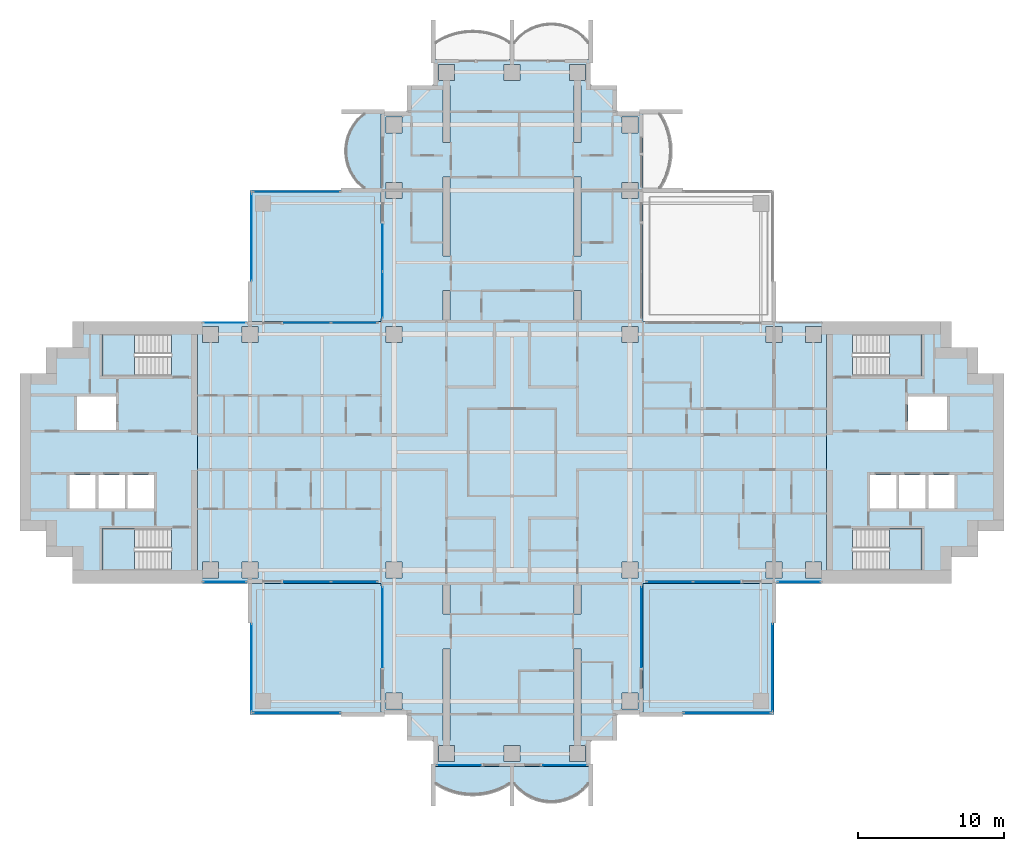
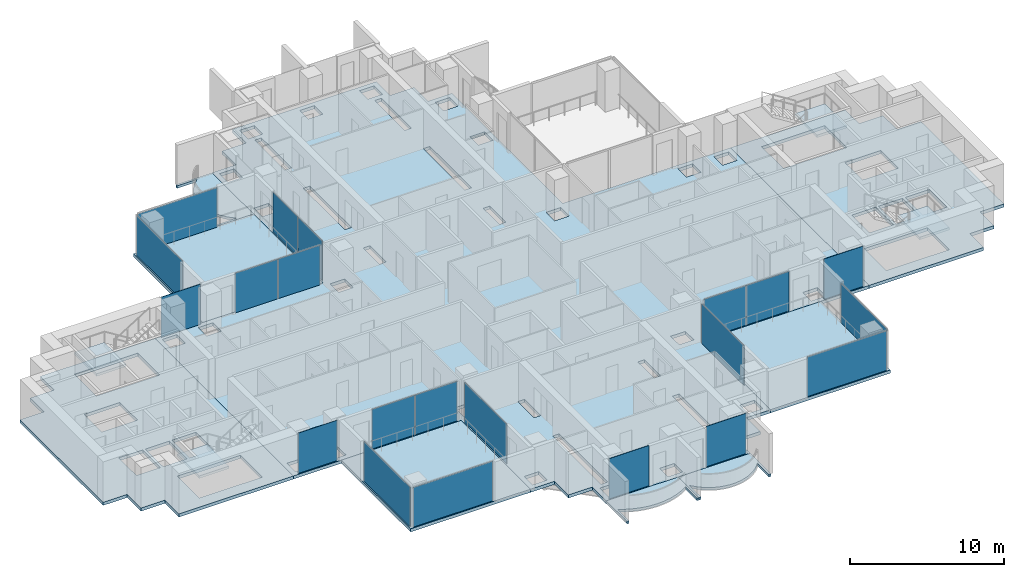
# One storey, part 7 of 19: 21 plates, 13 slabs, 21 elements without a shape of their own.
"""IFC4 building model written with IfcOpenShell, lengths in metres."""

from ifc_helpers import new_model, si_unit, direction, frame, origin, origin_2d, place, context, subcontext, project, spatial, polyline, rectangle, outline, extrude, material, layer, layer_set, type_object, element, aggregate, save


model = new_model("IFC4")

# Units and contexts
model_context = context("Model", 3, precision=1e-05, world=origin(), true_north=direction((0.0, 1.0)))
body_context = subcontext(model_context, "Body", "Model", "MODEL_VIEW")
ifc_project = project(units=[si_unit("LENGTHUNIT", "METRE"), si_unit("AREAUNIT", "SQUARE_METRE"), si_unit("VOLUMEUNIT", "CUBIC_METRE"), si_unit("PLANEANGLEUNIT", "RADIAN"), si_unit("MASSUNIT", "GRAM", prefix="KILO")], contexts=[model_context])

# Site, building, storey
site_placement = place(None, origin())
site = spatial("IfcSite", under=ifc_project, at=site_placement, CompositionType="ELEMENT")
building_placement = place(site_placement, origin())
building = spatial("IfcBuilding", under=site, at=building_placement, Name="Perihelion Cross Residences", CompositionType="ELEMENT")
storey_placement = place(building_placement, frame((0.0, 0.0, 151.39990234375)))
storey = spatial("IfcBuildingStorey", under=building, at=storey_placement, Name="L37", CompositionType="ELEMENT", Elevation=151.39990234375)

# Slabs
ifc_material_1 = material(Name="Concrete C40/50", Category="concrete")
ifc_layer_1 = layer(ifc_material_1, 0.199951171875)
ifc_layer_set_1 = layer_set([ifc_layer_1], Name="Balcony slab 200")
slab_type_1 = type_object("IfcSlabType", Name="Balcony slab 200", PredefinedType="FLOOR", material=ifc_layer_set_1)
slab_1_placement = place(storey_placement, frame((0.0, 0.0, -0.199951171875)))
element("IfcSlab", 1, at=slab_1_placement, inside=storey, type_object=slab_type_1, Name="Slab BK1 L37 north side west bay 1 balcony", PredefinedType="FLOOR", context=body_context, shape_type="SweptSolid", body=[
    extrude(outline(polyline([(-9.0, 23.39990234375), (-9.0, 18.0), (-11.699951171875, 18.0), (-11.699951171875, 18.14990234375), (-10.199951171875, 18.14990234375), (-10.622314453125, 18.542236328125), (-10.924072265625, 18.9345703125), (-11.143310546875, 19.326904296875), (-11.29736328125, 19.71923828125), (-11.39599609375, 20.111572265625), (-11.444091796875, 20.50390625), (-11.444091796875, 20.896240234375), (-11.39599609375, 21.28857421875), (-11.29736328125, 21.6806640625), (-11.143310546875, 22.072998046875), (-10.924072265625, 22.46533203125), (-10.622314453125, 22.857666015625), (-10.199951171875, 23.25), (-11.699951171875, 23.25), (-11.699951171875, 23.39990234375), (-9.0, 23.39990234375)])), origin(), (0.0, 0.0, 1.0), 0.199951171875),
])
slab_2_placement = place(storey_placement, frame((0.0, 0.0, -0.199951171875)))
element("IfcSlab", 2, at=slab_2_placement, inside=storey, type_object=slab_type_1, Name="Slab BK1 L37 south tip south bay 1 balcony", PredefinedType="FLOOR", context=body_context, shape_type="SweptSolid", body=[
    extrude(outline(polyline([(-5.39990234375, -21.60009765625), (0.0, -21.60009765625), (0.0, -24.300048828125), (-0.14990234375, -24.300048828125), (-0.14990234375, -22.800048828125), (-0.659912109375, -23.085205078125), (-1.169921875, -23.294677734375), (-1.679931640625, -23.438232421875), (-2.18994140625, -23.522216796875), (-2.699951171875, -23.550048828125), (-3.2099609375, -23.522216796875), (-3.719970703125, -23.438232421875), (-4.22998046875, -23.294677734375), (-4.739990234375, -23.085205078125), (-5.25, -22.800048828125), (-5.25, -24.300048828125), (-5.39990234375, -24.300048828125), (-5.39990234375, -21.60009765625)])), origin(), (0.0, 0.0, 1.0), 0.199951171875),
])
slab_3_placement = place(storey_placement, frame((0.0, 0.0, -0.199951171875)))
element("IfcSlab", 3, at=slab_3_placement, inside=storey, type_object=slab_type_1, Name="Slab BK1 L37 south tip south bay 2 balcony", PredefinedType="FLOOR", context=body_context, shape_type="SweptSolid", body=[
    extrude(outline(polyline([(0.0, -21.60009765625), (5.39990234375, -21.60009765625), (5.39990234375, -24.300048828125), (5.25, -24.300048828125), (5.25, -22.800048828125), (4.857666015625, -23.22216796875), (4.46533203125, -23.524169921875), (4.072998046875, -23.7431640625), (3.6806640625, -23.897216796875), (3.28857421875, -23.995849609375), (2.896240234375, -24.0439453125), (2.50390625, -24.0439453125), (2.111572265625, -23.995849609375), (1.71923828125, -23.897216796875), (1.326904296875, -23.7431640625), (0.9345703125, -23.524169921875), (0.542236328125, -23.22216796875), (0.14990234375, -22.800048828125), (0.14990234375, -24.300048828125), (0.0, -24.300048828125), (0.0, -21.60009765625)])), origin(), (0.0, 0.0, 1.0), 0.199951171875),
])

# Curtain wall, plates
ifc_material_2 = material(Name="Bronze anodised aluminium, tinted glazing", Category="aluminium")
curtain_wall_type_1 = type_object("IfcCurtainWallType", Name="CW1", PredefinedType="NOTDEFINED", material=ifc_material_2)
curtain_wall_1_placement = place(storey_placement, origin())
curtain_wall_1 = element("IfcCurtainWall", 4, at=curtain_wall_1_placement, inside=storey, type_object=curtain_wall_type_1, Name="Curtain wall CW1 L37 north side west bay 2", PredefinedType="NOTDEFINED")
ifc_material_3 = material(Name="Tinted laminated glass", Category="glass")
ifc_layer_2 = layer(ifc_material_3, 0.028076171875)
ifc_layer_set_2 = layer_set([ifc_layer_2], Name="CW1 panel")
plate_type_1 = type_object("IfcPlateType", Name="CW1 panel", PredefinedType="CURTAIN_PANEL", material=ifc_layer_set_2)
plate_1_placement = place(storey_placement, frame((-8.89990234375, 14.052490234375, 0.0), z_axis=(0.0, 0.0, 1.0), x_axis=(0.0, -1.0, 0.0)))
plate_1 = element("IfcPlate", 5, at=plate_1_placement, type_object=plate_type_1, Name="CW1 panel 1", PredefinedType="CURTAIN_PANEL", context=body_context, shape_type="SweptSolid", body=[
    extrude(rectangle(XDim=3.195068359375, YDim=0.028076171875, at=origin_2d()), origin(), (0.0, 0.0, 1.0), 3.139892578125),
])
plate_2_placement = place(storey_placement, frame((-8.89990234375, 10.827392578125, 0.0), z_axis=(0.0, 0.0, 1.0), x_axis=(0.0, -1.0, 0.0)))
plate_2 = element("IfcPlate", 6, at=plate_2_placement, type_object=plate_type_1, Name="CW1 panel 2", PredefinedType="CURTAIN_PANEL", context=body_context, shape_type="SweptSolid", body=[
    extrude(rectangle(XDim=3.135009765625, YDim=0.028076171875, at=origin_2d()), origin(), (0.0, 0.0, 1.0), 3.139892578125),
])
aggregate(curtain_wall_1, [plate_1, plate_2])

curtain_wall_2_placement = place(storey_placement, origin())
curtain_wall_2 = element("IfcCurtainWall", 7, at=curtain_wall_2_placement, inside=storey, type_object=curtain_wall_type_1, Name="Curtain wall CW1 L37 west side north bay 1", PredefinedType="NOTDEFINED")
plate_3_placement = place(storey_placement, frame((-10.827392578125, 8.89990234375, 0.0), z_axis=(0.0, 0.0, 1.0), x_axis=(-1.0, 0.0, 0.0)))
plate_3 = element("IfcPlate", 8, at=plate_3_placement, type_object=plate_type_1, Name="CW1 panel 1", PredefinedType="CURTAIN_PANEL", context=body_context, shape_type="SweptSolid", body=[
    extrude(rectangle(XDim=3.135009765625, YDim=0.028076171875, at=origin_2d()), origin(), (0.0, 0.0, 1.0), 3.139892578125),
])
plate_4_placement = place(storey_placement, frame((-14.052490234375, 8.89990234375, 0.0), z_axis=(0.0, 0.0, 1.0), x_axis=(-1.0, 0.0, 0.0)))
plate_4 = element("IfcPlate", 9, at=plate_4_placement, type_object=plate_type_1, Name="CW1 panel 2", PredefinedType="CURTAIN_PANEL", context=body_context, shape_type="SweptSolid", body=[
    extrude(rectangle(XDim=3.195068359375, YDim=0.028076171875, at=origin_2d()), origin(), (0.0, 0.0, 1.0), 3.139892578125),
])
aggregate(curtain_wall_2, [plate_3, plate_4])

# Curtain wall, plate
curtain_wall_3_placement = place(storey_placement, origin())
curtain_wall_3 = element("IfcCurtainWall", 10, at=curtain_wall_3_placement, inside=storey, type_object=curtain_wall_type_1, Name="Curtain wall CW1 L37 west side north bay 2", PredefinedType="NOTDEFINED")
plate_5_placement = place(storey_placement, frame((-19.72509765625, 8.89990234375, 0.0), z_axis=(0.0, 0.0, 1.0), x_axis=(-1.0, 0.0, 0.0)))
plate_5 = element("IfcPlate", 11, at=plate_5_placement, type_object=plate_type_1, Name="CW1 panel 1", PredefinedType="CURTAIN_PANEL", context=body_context, shape_type="SweptSolid", body=[
    extrude(rectangle(XDim=2.929931640625, YDim=0.028076171875, at=origin_2d()), origin(), (0.0, 0.0, 1.0), 3.199951171875),
])
aggregate(curtain_wall_3, [plate_5])

curtain_wall_4_placement = place(storey_placement, origin())
curtain_wall_4 = element("IfcCurtainWall", 12, at=curtain_wall_4_placement, inside=storey, type_object=curtain_wall_type_1, Name="Curtain wall CW1 L37 west side south bay 1", PredefinedType="NOTDEFINED")
plate_6_placement = place(storey_placement, frame((-19.72509765625, -8.89990234375, 0.0), z_axis=(0.0, 0.0, 1.0), x_axis=(1.0, 0.0, 0.0)))
plate_6 = element("IfcPlate", 13, at=plate_6_placement, type_object=plate_type_1, Name="CW1 panel 1", PredefinedType="CURTAIN_PANEL", context=body_context, shape_type="SweptSolid", body=[
    extrude(rectangle(XDim=2.929931640625, YDim=0.028076171875, at=origin_2d()), origin(), (0.0, 0.0, 1.0), 3.199951171875),
])
aggregate(curtain_wall_4, [plate_6])

# Curtain wall, plates
curtain_wall_5_placement = place(storey_placement, origin())
curtain_wall_5 = element("IfcCurtainWall", 14, at=curtain_wall_5_placement, inside=storey, type_object=curtain_wall_type_1, Name="Curtain wall CW1 L37 west side south bay 2", PredefinedType="NOTDEFINED")
plate_7_placement = place(storey_placement, frame((-14.052490234375, -8.89990234375, 0.0), z_axis=(0.0, 0.0, 1.0), x_axis=(1.0, 0.0, 0.0)))
plate_7 = element("IfcPlate", 15, at=plate_7_placement, type_object=plate_type_1, Name="CW1 panel 1", PredefinedType="CURTAIN_PANEL", context=body_context, shape_type="SweptSolid", body=[
    extrude(rectangle(XDim=3.195068359375, YDim=0.028076171875, at=origin_2d()), origin(), (0.0, 0.0, 1.0), 3.139892578125),
])
plate_8_placement = place(storey_placement, frame((-10.827392578125, -8.89990234375, 0.0), z_axis=(0.0, 0.0, 1.0), x_axis=(1.0, 0.0, 0.0)))
plate_8 = element("IfcPlate", 16, at=plate_8_placement, type_object=plate_type_1, Name="CW1 panel 2", PredefinedType="CURTAIN_PANEL", context=body_context, shape_type="SweptSolid", body=[
    extrude(rectangle(XDim=3.135009765625, YDim=0.028076171875, at=origin_2d()), origin(), (0.0, 0.0, 1.0), 3.139892578125),
])
aggregate(curtain_wall_5, [plate_7, plate_8])

# Curtain wall, plate
curtain_wall_6_placement = place(storey_placement, origin())
curtain_wall_6 = element("IfcCurtainWall", 17, at=curtain_wall_6_placement, inside=storey, type_object=curtain_wall_type_1, Name="Curtain wall CW1 L37 south side west bay 1", PredefinedType="NOTDEFINED")
plate_9_placement = place(storey_placement, frame((-8.89990234375, -12.0048828125, 0.0), z_axis=(0.0, 0.0, 1.0), x_axis=(0.0, -1.0, 0.0)))
plate_9 = element("IfcPlate", 18, at=plate_9_placement, type_object=plate_type_1, Name="CW1 panel 1", PredefinedType="CURTAIN_PANEL", context=body_context, shape_type="SweptSolid", body=[
    extrude(rectangle(XDim=5.489990234375, YDim=0.028076171875, at=origin_2d()), origin(), (0.0, 0.0, 1.0), 3.139892578125),
])
aggregate(curtain_wall_6, [plate_9])

curtain_wall_7_placement = place(storey_placement, origin())
curtain_wall_7 = element("IfcCurtainWall", 19, at=curtain_wall_7_placement, inside=storey, type_object=curtain_wall_type_1, Name="Curtain wall CW1 L37 south tip south bay 1", PredefinedType="NOTDEFINED")
plate_10_placement = place(storey_placement, frame((-3.64501953125, -21.5, 0.0), z_axis=(0.0, 0.0, 1.0), x_axis=(1.0, 0.0, 0.0)))
plate_10 = element("IfcPlate", 20, at=plate_10_placement, type_object=plate_type_1, Name="CW1 panel 1", PredefinedType="CURTAIN_PANEL", context=body_context, shape_type="SweptSolid", body=[
    extrude(rectangle(XDim=2.989990234375, YDim=0.028076171875, at=origin_2d()), origin(), (0.0, 0.0, 1.0), 3.199951171875),
])
aggregate(curtain_wall_7, [plate_10])

curtain_wall_8_placement = place(storey_placement, origin())
curtain_wall_8 = element("IfcCurtainWall", 21, at=curtain_wall_8_placement, inside=storey, type_object=curtain_wall_type_1, Name="Curtain wall CW1 L37 south tip south bay 2", PredefinedType="NOTDEFINED")
plate_11_placement = place(storey_placement, frame((3.64501953125, -21.5, 0.0), z_axis=(0.0, 0.0, 1.0), x_axis=(1.0, 0.0, 0.0)))
plate_11 = element("IfcPlate", 22, at=plate_11_placement, type_object=plate_type_1, Name="CW1 panel 1", PredefinedType="CURTAIN_PANEL", context=body_context, shape_type="SweptSolid", body=[
    extrude(rectangle(XDim=2.989990234375, YDim=0.028076171875, at=origin_2d()), origin(), (0.0, 0.0, 1.0), 3.199951171875),
])
aggregate(curtain_wall_8, [plate_11])

curtain_wall_9_placement = place(storey_placement, origin())
curtain_wall_9 = element("IfcCurtainWall", 23, at=curtain_wall_9_placement, inside=storey, type_object=curtain_wall_type_1, Name="Curtain wall CW1 L37 south side east bay 1", PredefinedType="NOTDEFINED")
plate_12_placement = place(storey_placement, frame((8.89990234375, -12.0048828125, 0.0), z_axis=(0.0, 0.0, 1.0), x_axis=(0.0, 1.0, 0.0)))
plate_12 = element("IfcPlate", 24, at=plate_12_placement, type_object=plate_type_1, Name="CW1 panel 1", PredefinedType="CURTAIN_PANEL", context=body_context, shape_type="SweptSolid", body=[
    extrude(rectangle(XDim=5.489990234375, YDim=0.028076171875, at=origin_2d()), origin(), (0.0, 0.0, 1.0), 3.139892578125),
])
aggregate(curtain_wall_9, [plate_12])

# Curtain wall, plates
curtain_wall_10_placement = place(storey_placement, origin())
curtain_wall_10 = element("IfcCurtainWall", 25, at=curtain_wall_10_placement, inside=storey, type_object=curtain_wall_type_1, Name="Curtain wall CW1 L37 east side south bay 1", PredefinedType="NOTDEFINED")
plate_13_placement = place(storey_placement, frame((10.827392578125, -8.89990234375, 0.0), z_axis=(0.0, 0.0, 1.0), x_axis=(1.0, 0.0, 0.0)))
plate_13 = element("IfcPlate", 26, at=plate_13_placement, type_object=plate_type_1, Name="CW1 panel 1", PredefinedType="CURTAIN_PANEL", context=body_context, shape_type="SweptSolid", body=[
    extrude(rectangle(XDim=3.135009765625, YDim=0.028076171875, at=origin_2d()), origin(), (0.0, 0.0, 1.0), 3.139892578125),
])
plate_14_placement = place(storey_placement, frame((14.052490234375, -8.89990234375, 0.0), z_axis=(0.0, 0.0, 1.0), x_axis=(1.0, 0.0, 0.0)))
plate_14 = element("IfcPlate", 27, at=plate_14_placement, type_object=plate_type_1, Name="CW1 panel 2", PredefinedType="CURTAIN_PANEL", context=body_context, shape_type="SweptSolid", body=[
    extrude(rectangle(XDim=3.195068359375, YDim=0.028076171875, at=origin_2d()), origin(), (0.0, 0.0, 1.0), 3.139892578125),
])
aggregate(curtain_wall_10, [plate_13, plate_14])

# Curtain wall, plate
curtain_wall_11_placement = place(storey_placement, origin())
curtain_wall_11 = element("IfcCurtainWall", 28, at=curtain_wall_11_placement, inside=storey, type_object=curtain_wall_type_1, Name="Curtain wall CW1 L37 east side south bay 2", PredefinedType="NOTDEFINED")
plate_15_placement = place(storey_placement, frame((19.72509765625, -8.89990234375, 0.0), z_axis=(0.0, 0.0, 1.0), x_axis=(1.0, 0.0, 0.0)))
plate_15 = element("IfcPlate", 29, at=plate_15_placement, type_object=plate_type_1, Name="CW1 panel 1", PredefinedType="CURTAIN_PANEL", context=body_context, shape_type="SweptSolid", body=[
    extrude(rectangle(XDim=2.929931640625, YDim=0.028076171875, at=origin_2d()), origin(), (0.0, 0.0, 1.0), 3.199951171875),
])
aggregate(curtain_wall_11, [plate_15])

ifc_material_4 = material(Name="Bronze anodised aluminium, tinted glazing", Category="aluminium")
curtain_wall_type_2 = type_object("IfcCurtainWallType", Name="CW4", PredefinedType="NOTDEFINED", material=ifc_material_4)
curtain_wall_12_placement = place(storey_placement, origin())
curtain_wall_12 = element("IfcCurtainWall", 30, at=curtain_wall_12_placement, inside=storey, type_object=curtain_wall_type_2, Name="Curtain wall CW4 L37 pocket north-west 1 1", PredefinedType="NOTDEFINED")
ifc_material_5 = material(Name="Tinted laminated glass", Category="glass")
ifc_layer_3 = layer(ifc_material_5, 0.030029296875)
ifc_layer_set_3 = layer_set([ifc_layer_3], Name="CW4 panel")
plate_type_2 = type_object("IfcPlateType", Name="CW4 panel", PredefinedType="CURTAIN_PANEL", material=ifc_layer_set_3)
plate_16_placement = place(storey_placement, frame((-17.89990234375, 14.784912109375, 0.0), z_axis=(0.0, 0.0, 1.0), x_axis=(0.0, 1.0, 0.0)))
plate_16 = element("IfcPlate", 31, at=plate_16_placement, type_object=plate_type_2, Name="CW4 panel 1", PredefinedType="CURTAIN_PANEL", context=body_context, shape_type="SweptSolid", body=[
    extrude(rectangle(XDim=5.969970703125, YDim=0.030029296875, at=origin_2d()), origin(), (0.0, 0.0, 1.0), 3.139892578125),
])
aggregate(curtain_wall_12, [plate_16])

curtain_wall_13_placement = place(storey_placement, origin())
curtain_wall_13 = element("IfcCurtainWall", 32, at=curtain_wall_13_placement, inside=storey, type_object=curtain_wall_type_2, Name="Curtain wall CW4 L37 pocket north-west 1 2", PredefinedType="NOTDEFINED")
plate_17_placement = place(storey_placement, frame((-14.784912109375, 17.89990234375, 0.0), z_axis=(0.0, 0.0, 1.0), x_axis=(1.0, 0.0, 0.0)))
plate_17 = element("IfcPlate", 33, at=plate_17_placement, type_object=plate_type_2, Name="CW4 panel 1", PredefinedType="CURTAIN_PANEL", context=body_context, shape_type="SweptSolid", body=[
    extrude(rectangle(XDim=5.969970703125, YDim=0.030029296875, at=origin_2d()), origin(), (0.0, 0.0, 1.0), 3.139892578125),
])
aggregate(curtain_wall_13, [plate_17])

curtain_wall_14_placement = place(storey_placement, origin())
curtain_wall_14 = element("IfcCurtainWall", 34, at=curtain_wall_14_placement, inside=storey, type_object=curtain_wall_type_2, Name="Curtain wall CW4 L37 pocket south-east 1 1", PredefinedType="NOTDEFINED")
plate_18_placement = place(storey_placement, frame((17.89990234375, -14.784912109375, 0.0), z_axis=(0.0, 0.0, 1.0), x_axis=(0.0, -1.0, 0.0)))
plate_18 = element("IfcPlate", 35, at=plate_18_placement, type_object=plate_type_2, Name="CW4 panel 1", PredefinedType="CURTAIN_PANEL", context=body_context, shape_type="SweptSolid", body=[
    extrude(rectangle(XDim=5.969970703125, YDim=0.030029296875, at=origin_2d()), origin(), (0.0, 0.0, 1.0), 3.139892578125),
])
aggregate(curtain_wall_14, [plate_18])

curtain_wall_15_placement = place(storey_placement, origin())
curtain_wall_15 = element("IfcCurtainWall", 36, at=curtain_wall_15_placement, inside=storey, type_object=curtain_wall_type_2, Name="Curtain wall CW4 L37 pocket south-east 1 2", PredefinedType="NOTDEFINED")
plate_19_placement = place(storey_placement, frame((14.784912109375, -17.89990234375, 0.0), z_axis=(0.0, 0.0, 1.0), x_axis=(-1.0, 0.0, 0.0)))
plate_19 = element("IfcPlate", 37, at=plate_19_placement, type_object=plate_type_2, Name="CW4 panel 1", PredefinedType="CURTAIN_PANEL", context=body_context, shape_type="SweptSolid", body=[
    extrude(rectangle(XDim=5.969970703125, YDim=0.030029296875, at=origin_2d()), origin(), (0.0, 0.0, 1.0), 3.139892578125),
])
aggregate(curtain_wall_15, [plate_19])

curtain_wall_16_placement = place(storey_placement, origin())
curtain_wall_16 = element("IfcCurtainWall", 38, at=curtain_wall_16_placement, inside=storey, type_object=curtain_wall_type_2, Name="Curtain wall CW4 L37 pocket south-west 1 1", PredefinedType="NOTDEFINED")
plate_20_placement = place(storey_placement, frame((-14.784912109375, -17.89990234375, 0.0), z_axis=(0.0, 0.0, 1.0), x_axis=(-1.0, 0.0, 0.0)))
plate_20 = element("IfcPlate", 39, at=plate_20_placement, type_object=plate_type_2, Name="CW4 panel 1", PredefinedType="CURTAIN_PANEL", context=body_context, shape_type="SweptSolid", body=[
    extrude(rectangle(XDim=5.969970703125, YDim=0.030029296875, at=origin_2d()), origin(), (0.0, 0.0, 1.0), 3.139892578125),
])
aggregate(curtain_wall_16, [plate_20])

curtain_wall_17_placement = place(storey_placement, origin())
curtain_wall_17 = element("IfcCurtainWall", 40, at=curtain_wall_17_placement, inside=storey, type_object=curtain_wall_type_2, Name="Curtain wall CW4 L37 pocket south-west 1 2", PredefinedType="NOTDEFINED")
plate_21_placement = place(storey_placement, frame((-17.89990234375, -14.784912109375, 0.0), z_axis=(0.0, 0.0, 1.0), x_axis=(0.0, 1.0, 0.0)))
plate_21 = element("IfcPlate", 41, at=plate_21_placement, type_object=plate_type_2, Name="CW4 panel 1", PredefinedType="CURTAIN_PANEL", context=body_context, shape_type="SweptSolid", body=[
    extrude(rectangle(XDim=5.969970703125, YDim=0.030029296875, at=origin_2d()), origin(), (0.0, 0.0, 1.0), 3.139892578125),
])
aggregate(curtain_wall_17, [plate_21])

# Slabs
ifc_material_6 = material(Name="Concrete C40/50", Category="concrete")
ifc_layer_4 = layer(ifc_material_6, 0.25)
ifc_layer_set_4 = layer_set([ifc_layer_4], Name="Core floor slab 250")
slab_type_2 = type_object("IfcSlabType", Name="Core floor slab 250", PredefinedType="FLOOR", material=ifc_layer_set_4)
slab_4_placement = place(storey_placement, frame((0.0, 0.0, -0.25)))
element("IfcSlab", 42, at=slab_4_placement, inside=storey, type_object=slab_type_2, Name="East core floor slab", PredefinedType="FLOOR", context=body_context, shape_type="SweptSolid", body=[
    extrude(outline(polyline([(30.199951171875, 7.199951171875), (32.0, 7.199951171875), (32.0, 5.39990234375), (33.800048828125, 5.39990234375), (33.800048828125, -5.39990234375), (32.0, -5.39990234375), (32.0, -7.199951171875), (30.199951171875, -7.199951171875), (30.199951171875, -9.0), (21.60009765625, -9.0), (21.60009765625, 9.0), (30.199951171875, 9.0), (30.199951171875, 7.199951171875)]), holes=[polyline([(28.14990234375, -8.10009765625), (28.14990234375, -5.25), (23.405029296875, -5.25), (23.405029296875, -8.10009765625), (28.14990234375, -8.10009765625)]), polyline([(24.60009765625, -1.550048828125), (24.60009765625, -3.85009765625), (26.39990234375, -3.85009765625), (26.39990234375, -1.550048828125), (24.60009765625, -1.550048828125)]), polyline([(26.60009765625, -1.550048828125), (26.60009765625, -3.85009765625), (28.39990234375, -3.85009765625), (28.39990234375, -1.550048828125), (26.60009765625, -1.550048828125)]), polyline([(28.60009765625, -3.85009765625), (30.39990234375, -3.85009765625), (30.39990234375, -1.550048828125), (28.60009765625, -1.550048828125), (28.60009765625, -3.85009765625)]), polyline([(27.199951171875, 3.85009765625), (27.199951171875, 1.550048828125), (29.89990234375, 1.550048828125), (29.89990234375, 3.85009765625), (27.199951171875, 3.85009765625)]), polyline([(23.405029296875, 5.25), (28.14990234375, 5.25), (28.14990234375, 8.10009765625), (23.405029296875, 8.10009765625), (23.405029296875, 5.25)])]), origin(), (0.0, 0.0, 1.0), 0.25),
])
slab_5_placement = place(storey_placement, frame((0.0, 0.0, -0.25)))
element("IfcSlab", 43, at=slab_5_placement, inside=storey, type_object=slab_type_2, Name="West core floor slab", PredefinedType="FLOOR", context=body_context, shape_type="SweptSolid", body=[
    extrude(outline(polyline([(-30.199951171875, 7.199951171875), (-32.0, 7.199951171875), (-32.0, 5.39990234375), (-33.800048828125, 5.39990234375), (-33.800048828125, -5.39990234375), (-32.0, -5.39990234375), (-32.0, -7.199951171875), (-30.199951171875, -7.199951171875), (-30.199951171875, -9.0), (-21.60009765625, -9.0), (-21.60009765625, 9.0), (-30.199951171875, 9.0), (-30.199951171875, 7.199951171875)]), holes=[polyline([(-28.14990234375, -8.10009765625), (-28.14990234375, -5.25), (-23.405029296875, -5.25), (-23.405029296875, -8.10009765625), (-28.14990234375, -8.10009765625)]), polyline([(-24.60009765625, -1.550048828125), (-24.60009765625, -3.85009765625), (-26.39990234375, -3.85009765625), (-26.39990234375, -1.550048828125), (-24.60009765625, -1.550048828125)]), polyline([(-26.60009765625, -1.550048828125), (-26.60009765625, -3.85009765625), (-28.39990234375, -3.85009765625), (-28.39990234375, -1.550048828125), (-26.60009765625, -1.550048828125)]), polyline([(-28.60009765625, -3.85009765625), (-30.39990234375, -3.85009765625), (-30.39990234375, -1.550048828125), (-28.60009765625, -1.550048828125), (-28.60009765625, -3.85009765625)]), polyline([(-27.199951171875, 3.85009765625), (-27.199951171875, 1.550048828125), (-29.89990234375, 1.550048828125), (-29.89990234375, 3.85009765625), (-27.199951171875, 3.85009765625)]), polyline([(-23.405029296875, 5.25), (-28.14990234375, 5.25), (-28.14990234375, 8.10009765625), (-23.405029296875, 8.10009765625), (-23.405029296875, 5.25)])]), origin(), (0.0, 0.0, 1.0), 0.25),
])

# Stair, slab
ifc_material_7 = material(Name="Concrete C40/50", Category="concrete")
stair_type = type_object("IfcStairType", Name="Exit stair, half-turn", PredefinedType="HALF_TURN_STAIR", material=ifc_material_7)
stair_1_placement = place(storey_placement, origin())
stair_1 = element("IfcStair", 44, at=stair_1_placement, inside=storey, type_object=stair_type, Name="L37 East core exit stair 1", PredefinedType="HALF_TURN_STAIR")
ifc_material_8 = material(Name="Concrete C40/50", Category="concrete")
ifc_layer_5 = layer(ifc_material_8, 0.199951171875)
ifc_layer_set_5 = layer_set([ifc_layer_5], Name="Exit stair landing 200")
slab_type_3 = type_object("IfcSlabType", Name="Exit stair landing 200", PredefinedType="LANDING", material=ifc_layer_set_5)
slab_6_placement = place(storey_placement, frame((0.0, 0.0, 1.550048828125)))
slab_6 = element("IfcSlab", 45, at=slab_6_placement, type_object=slab_type_3, Name="ST-E1 landing 1", PredefinedType="LANDING", context=body_context, shape_type="SweptSolid", body=[
    extrude(outline(polyline([(25.919921875, 5.25), (28.14990234375, 5.25), (28.14990234375, 8.10009765625), (25.919921875, 8.10009765625), (25.919921875, 5.25)])), origin(), (0.0, 0.0, 1.0), 0.199951171875),
])
aggregate(stair_1, [slab_6])

stair_2_placement = place(storey_placement, origin())
stair_2 = element("IfcStair", 46, at=stair_2_placement, inside=storey, type_object=stair_type, Name="L37 East core exit stair 2", PredefinedType="HALF_TURN_STAIR")
slab_7_placement = place(storey_placement, frame((0.0, 0.0, 1.550048828125)))
slab_7 = element("IfcSlab", 47, at=slab_7_placement, type_object=slab_type_3, Name="ST-E2 landing 1", PredefinedType="LANDING", context=body_context, shape_type="SweptSolid", body=[
    extrude(outline(polyline([(25.919921875, -8.10009765625), (28.14990234375, -8.10009765625), (28.14990234375, -5.25), (25.919921875, -5.25), (25.919921875, -8.10009765625)])), origin(), (0.0, 0.0, 1.0), 0.199951171875),
])
aggregate(stair_2, [slab_7])

stair_3_placement = place(storey_placement, origin())
stair_3 = element("IfcStair", 48, at=stair_3_placement, inside=storey, type_object=stair_type, Name="L37 West core exit stair 1", PredefinedType="HALF_TURN_STAIR")
slab_8_placement = place(storey_placement, frame((0.0, 0.0, 1.550048828125)))
slab_8 = element("IfcSlab", 49, at=slab_8_placement, type_object=slab_type_3, Name="ST-W1 landing 1", PredefinedType="LANDING", context=body_context, shape_type="SweptSolid", body=[
    extrude(outline(polyline([(-25.919921875, 8.10009765625), (-28.14990234375, 8.10009765625), (-28.14990234375, 5.25), (-25.919921875, 5.25), (-25.919921875, 8.10009765625)])), origin(), (0.0, 0.0, 1.0), 0.199951171875),
])
aggregate(stair_3, [slab_8])

stair_4_placement = place(storey_placement, origin())
stair_4 = element("IfcStair", 50, at=stair_4_placement, inside=storey, type_object=stair_type, Name="L37 West core exit stair 2", PredefinedType="HALF_TURN_STAIR")
slab_9_placement = place(storey_placement, frame((0.0, 0.0, 1.550048828125)))
slab_9 = element("IfcSlab", 51, at=slab_9_placement, type_object=slab_type_3, Name="ST-W2 landing 1", PredefinedType="LANDING", context=body_context, shape_type="SweptSolid", body=[
    extrude(outline(polyline([(-25.919921875, -5.25), (-28.14990234375, -5.25), (-28.14990234375, -8.10009765625), (-25.919921875, -8.10009765625), (-25.919921875, -5.25)])), origin(), (0.0, 0.0, 1.0), 0.199951171875),
])
aggregate(stair_4, [slab_9])

# Slabs
ifc_material_9 = material(Name="Concrete C50/60", Category="concrete")
ifc_layer_6 = layer(ifc_material_9, 0.25)
ifc_layer_set_6 = layer_set([ifc_layer_6], Name="Residential floor post-tensioned slab concrete C50/60")
slab_type_4 = type_object("IfcSlabType", Name="Residential floor post-tensioned slab concrete C50/60", PredefinedType="FLOOR", material=ifc_layer_set_6)
slab_10_placement = place(storey_placement, frame((0.0, 0.0, -0.25)))
element("IfcSlab", 52, at=slab_10_placement, inside=storey, type_object=slab_type_4, Name="Slab SL8 L37 1 no. 1", PredefinedType="FLOOR", context=body_context, shape_type="SweptSolid", body=[
    extrude(outline(polyline([(-9.0, 9.0), (-9.0, 23.39990234375), (-7.199951171875, 23.39990234375), (-7.199951171875, 25.199951171875), (-5.39990234375, 25.199951171875), (-5.39990234375, 27.0), (5.39990234375, 27.0), (5.39990234375, 25.199951171875), (7.199951171875, 25.199951171875), (7.199951171875, 23.39990234375), (9.0, 23.39990234375), (9.0, 9.0), (21.60009765625, 9.0), (21.60009765625, -9.0), (9.0, -9.0), (9.0, -18.0), (7.199951171875, -18.0), (7.199951171875, -19.800048828125), (5.39990234375, -19.800048828125), (5.39990234375, -21.60009765625), (-5.39990234375, -21.60009765625), (-5.39990234375, -19.800048828125), (-7.199951171875, -19.800048828125), (-7.199951171875, -18.0), (-9.0, -18.0), (-9.0, -9.0), (-21.60009765625, -9.0), (-21.60009765625, 9.0), (-9.0, 9.0)]), holes=[polyline([(0.550048828125, -21.25), (0.550048828125, -20.14990234375), (-0.550048828125, -20.14990234375), (-0.550048828125, -21.25), (0.550048828125, -21.25)]), polyline([(-3.949951171875, -21.25), (-3.949951171875, -20.14990234375), (-5.050048828125, -20.14990234375), (-5.050048828125, -21.25), (-3.949951171875, -21.25)]), polyline([(-7.550048828125, -17.64990234375), (-7.550048828125, -16.550048828125), (-8.64990234375, -16.550048828125), (-8.64990234375, -17.64990234375), (-7.550048828125, -17.64990234375)]), polyline([(-4.25, -19.800048828125), (-4.25, -13.5), (-4.75, -13.5), (-4.75, -19.800048828125), (-4.25, -19.800048828125)]), polyline([(-4.25, -11.10009765625), (-4.25, -9.0), (-4.75, -9.0), (-4.75, -11.10009765625), (-4.25, -11.10009765625)]), polyline([(-20.14990234375, -8.64990234375), (-20.14990234375, -7.550048828125), (-21.25, -7.550048828125), (-21.25, -8.64990234375), (-20.14990234375, -8.64990234375)]), polyline([(-7.550048828125, -8.64990234375), (-7.550048828125, -7.550048828125), (-8.64990234375, -7.550048828125), (-8.64990234375, -8.64990234375), (-7.550048828125, -8.64990234375)]), polyline([(-18.550048828125, -8.64990234375), (-17.449951171875, -8.64990234375), (-17.449951171875, -7.550048828125), (-18.550048828125, -7.550048828125), (-18.550048828125, -8.64990234375)]), polyline([(-7.550048828125, 7.550048828125), (-7.550048828125, 8.64990234375), (-8.64990234375, 8.64990234375), (-8.64990234375, 7.550048828125), (-7.550048828125, 7.550048828125)]), polyline([(-17.449951171875, 7.550048828125), (-17.449951171875, 8.64990234375), (-18.550048828125, 8.64990234375), (-18.550048828125, 7.550048828125), (-17.449951171875, 7.550048828125)]), polyline([(-20.14990234375, 7.550048828125), (-20.14990234375, 8.64990234375), (-21.25, 8.64990234375), (-21.25, 7.550048828125), (-20.14990234375, 7.550048828125)]), polyline([(-4.25, 9.0), (-4.25, 11.10009765625), (-4.75, 11.10009765625), (-4.75, 9.0), (-4.25, 9.0)]), polyline([(-4.25, 13.5), (-4.25, 18.89990234375), (-4.75, 18.89990234375), (-4.75, 13.5), (-4.25, 13.5)]), polyline([(-7.550048828125, 17.449951171875), (-7.550048828125, 18.550048828125), (-8.64990234375, 18.550048828125), (-8.64990234375, 17.449951171875), (-7.550048828125, 17.449951171875)]), polyline([(-7.550048828125, 21.949951171875), (-7.550048828125, 23.050048828125), (-8.64990234375, 23.050048828125), (-8.64990234375, 21.949951171875), (-7.550048828125, 21.949951171875)]), polyline([(-4.75, 21.300048828125), (-4.25, 21.300048828125), (-4.25, 25.199951171875), (-4.75, 25.199951171875), (-4.75, 21.300048828125)]), polyline([(-5.050048828125, 25.550048828125), (-3.949951171875, 25.550048828125), (-3.949951171875, 26.64990234375), (-5.050048828125, 26.64990234375), (-5.050048828125, 25.550048828125)]), polyline([(5.050048828125, -21.25), (5.050048828125, -20.14990234375), (3.949951171875, -20.14990234375), (3.949951171875, -21.25), (5.050048828125, -21.25)]), polyline([(8.64990234375, -17.64990234375), (8.64990234375, -16.550048828125), (7.550048828125, -16.550048828125), (7.550048828125, -17.64990234375), (8.64990234375, -17.64990234375)]), polyline([(4.75, -19.800048828125), (4.75, -13.5), (4.25, -13.5), (4.25, -19.800048828125), (4.75, -19.800048828125)]), polyline([(4.75, -11.10009765625), (4.75, -9.0), (4.25, -9.0), (4.25, -11.10009765625), (4.75, -11.10009765625)]), polyline([(21.25, -8.64990234375), (21.25, -7.550048828125), (20.14990234375, -7.550048828125), (20.14990234375, -8.64990234375), (21.25, -8.64990234375)]), polyline([(18.550048828125, -8.64990234375), (18.550048828125, -7.550048828125), (17.449951171875, -7.550048828125), (17.449951171875, -8.64990234375), (18.550048828125, -8.64990234375)]), polyline([(8.64990234375, -8.64990234375), (8.64990234375, -7.550048828125), (7.550048828125, -7.550048828125), (7.550048828125, -8.64990234375), (8.64990234375, -8.64990234375)]), polyline([(7.550048828125, 7.550048828125), (8.64990234375, 7.550048828125), (8.64990234375, 8.64990234375), (7.550048828125, 8.64990234375), (7.550048828125, 7.550048828125)]), polyline([(18.550048828125, 7.550048828125), (18.550048828125, 8.64990234375), (17.449951171875, 8.64990234375), (17.449951171875, 7.550048828125), (18.550048828125, 7.550048828125)]), polyline([(21.25, 7.550048828125), (21.25, 8.64990234375), (20.14990234375, 8.64990234375), (20.14990234375, 7.550048828125), (21.25, 7.550048828125)]), polyline([(4.75, 9.0), (4.75, 11.10009765625), (4.25, 11.10009765625), (4.25, 9.0), (4.75, 9.0)]), polyline([(4.75, 13.5), (4.75, 18.89990234375), (4.25, 18.89990234375), (4.25, 13.5), (4.75, 13.5)]), polyline([(8.64990234375, 17.449951171875), (8.64990234375, 18.550048828125), (7.550048828125, 18.550048828125), (7.550048828125, 17.449951171875), (8.64990234375, 17.449951171875)]), polyline([(8.64990234375, 21.949951171875), (8.64990234375, 23.050048828125), (7.550048828125, 23.050048828125), (7.550048828125, 21.949951171875), (8.64990234375, 21.949951171875)]), polyline([(4.75, 21.300048828125), (4.75, 25.199951171875), (4.25, 25.199951171875), (4.25, 21.300048828125), (4.75, 21.300048828125)]), polyline([(3.949951171875, 25.550048828125), (5.050048828125, 25.550048828125), (5.050048828125, 26.64990234375), (3.949951171875, 26.64990234375), (3.949951171875, 25.550048828125)]), polyline([(-0.550048828125, 25.550048828125), (0.550048828125, 25.550048828125), (0.550048828125, 26.64990234375), (-0.550048828125, 26.64990234375), (-0.550048828125, 25.550048828125)])]), origin(), (0.0, 0.0, 1.0), 0.25),
])
ifc_material_10 = material(Name="Concrete C40/50", Category="concrete")
ifc_layer_7 = layer(ifc_material_10, 0.25)
ifc_layer_set_7 = layer_set([ifc_layer_7], Name="Winter garden slab")
slab_type_5 = type_object("IfcSlabType", Name="Winter garden slab", PredefinedType="FLOOR", material=ifc_layer_set_7)
slab_11_placement = place(storey_placement, frame((0.0, 0.0, -0.25)))
element("IfcSlab", 53, at=slab_11_placement, inside=storey, type_object=slab_type_5, Name="Slab BK3 L37 pocket north-west", PredefinedType="FLOOR", context=body_context, shape_type="SweptSolid", body=[
    extrude(outline(polyline([(-9.0, 9.0), (-9.0, 18.0), (-18.0, 18.0), (-18.0, 9.0), (-9.0, 9.0)])), origin(), (0.0, 0.0, 1.0), 0.25),
])
slab_12_placement = place(storey_placement, frame((0.0, 0.0, -0.25)))
element("IfcSlab", 54, at=slab_12_placement, inside=storey, type_object=slab_type_5, Name="Slab BK3 L37 pocket south-west", PredefinedType="FLOOR", context=body_context, shape_type="SweptSolid", body=[
    extrude(outline(polyline([(-9.0, -18.0), (-9.0, -9.0), (-18.0, -9.0), (-18.0, -18.0), (-9.0, -18.0)])), origin(), (0.0, 0.0, 1.0), 0.25),
])
slab_13_placement = place(storey_placement, frame((0.0, 0.0, -0.25)))
element("IfcSlab", 55, at=slab_13_placement, inside=storey, type_object=slab_type_5, Name="Slab BK3 L37 pocket south-east", PredefinedType="FLOOR", context=body_context, shape_type="SweptSolid", body=[
    extrude(outline(polyline([(18.0, -18.0), (18.0, -9.0), (9.0, -9.0), (9.0, -18.0), (18.0, -18.0)])), origin(), (0.0, 0.0, 1.0), 0.25),
])

save(model, "model.ifc")
